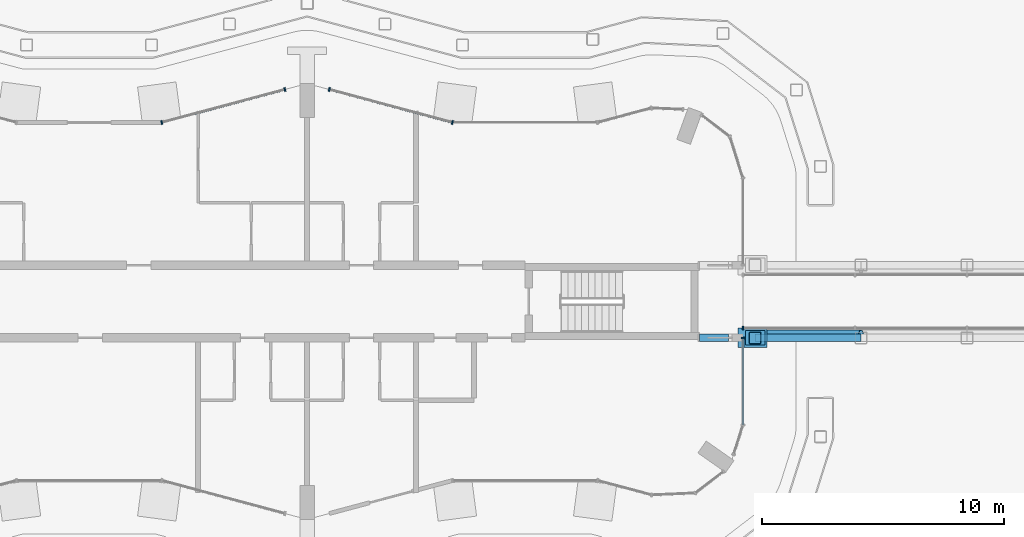
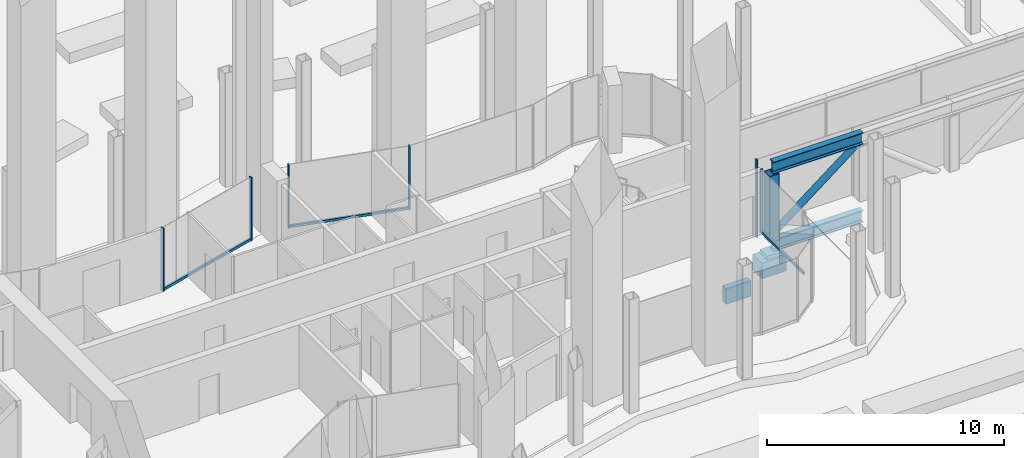
# One storey, part 9 of 33: 14 members, 2 beams, 4 elements without a shape of their own.
"""IFC4 building model written with IfcOpenShell, lengths in metres."""

import ifcopenshell
import ifcopenshell.guid

model = None  # the IFC model being written
_history = None  # IfcOwnerHistory: only IFC2X3 demands one
_inside = {}  # id of a spatial element -> (the spatial element, [elements in it])
_under = {}  # id of a project, library or spatial element -> (it, [spatial elements below it])
_declared = {}  # id of a project -> (the project, [libraries it declares])
_typed = {}  # id of a type object -> (the type object, [elements of that type])
_made_of = {}  # id of a material, layer set ... -> (it, [elements and type objects made of it])


def new_model(schema):
    """Start an empty IFC model of exactly this schema.

    Asked for "IFC4X3", IfcOpenShell would pick the latest addendum, in which some entities
    have other attributes; the version numbers below select the first issue.
    IFC2X3 requires an IfcOwnerHistory on every rooted entity: one is made here for all.
    """
    global model, _history
    if schema == "IFC4X3":
        model = ifcopenshell.file(schema_version=(4, 3, 0, 0))
    else:
        model = ifcopenshell.file(schema=schema)
    _inside.clear()
    _under.clear()
    _declared.clear()
    _typed.clear()
    _made_of.clear()
    _history = None
    if model.schema == "IFC2X3":
        org = make("IfcOrganization", Name="unknown")
        user = make(
            "IfcPersonAndOrganization",
            ThePerson=make("IfcPerson", FamilyName="unknown"),
            TheOrganization=org,
        )
        app = make(
            "IfcApplication",
            ApplicationDeveloper=org,
            Version="unknown",
            ApplicationFullName="unknown",
            ApplicationIdentifier="unknown",
        )
        _history = make(
            "IfcOwnerHistory",
            OwningUser=user,
            OwningApplication=app,
            ChangeAction="ADDED",
            CreationDate=0,
        )
    return model


def make(cls, **values):
    """One entity of the class cls with the attributes given. An attribute that is None is left unset."""
    return model.create_entity(
        cls, **{name: value for name, value in values.items() if value is not None}
    )


def rooted(cls, **values):
    """An entity with a GlobalId (a new one), such as an element, a storey or a relation."""
    return make(cls, GlobalId=ifcopenshell.guid.new(), OwnerHistory=_history, **values)


def si_unit(unit_type, name, prefix=None):
    """IfcSIUnit, for example si_unit("LENGTHUNIT", "METRE", prefix="MILLI")."""
    return make("IfcSIUnit", UnitType=unit_type, Prefix=prefix, Name=name)


def assignment(units):
    """IfcUnitAssignment: the units of a project."""
    return None if units is None else make("IfcUnitAssignment", Units=units)


def point(xyz):
    """IfcCartesianPoint."""
    return None if xyz is None else make("IfcCartesianPoint", Coordinates=xyz)


def direction(xyz):
    """IfcDirection."""
    return None if xyz is None else make("IfcDirection", DirectionRatios=xyz)


def frame(location, z_axis=None, x_axis=None):
    """IfcAxis2Placement3D, a coordinate frame: its origin and axes. An axis left out is left unset."""
    return make(
        "IfcAxis2Placement3D",
        Location=point(location),
        Axis=direction(z_axis),
        RefDirection=direction(x_axis),
    )


def frame_2d(location, x_axis=None):
    """IfcAxis2Placement2D, a coordinate frame in the plane: its origin and x axis."""
    return make(
        "IfcAxis2Placement2D", Location=point(location), RefDirection=direction(x_axis)
    )


def origin():
    """The frame at (0, 0, 0) with its axes left unset."""
    return frame((0.0, 0.0, 0.0))


def origin_2d():
    """The frame at (0, 0) in the plane with its x axis left unset."""
    return frame_2d((0.0, 0.0))


def place(relative_to, where):
    """IfcLocalPlacement: puts the frame where relative to a parent placement (None: the world)."""
    return make(
        "IfcLocalPlacement", PlacementRelTo=relative_to, RelativePlacement=where
    )


def context(
    kind, dimensions, precision=None, world=None, true_north=None, identifier=None
):
    """IfcGeometricRepresentationContext, for example the 3D "Model" context."""
    return make(
        "IfcGeometricRepresentationContext",
        ContextIdentifier=identifier,
        ContextType=kind,
        CoordinateSpaceDimension=dimensions,
        Precision=precision,
        WorldCoordinateSystem=world,
        TrueNorth=true_north,
    )


def subcontext(parent, identifier, kind, view, scale=None):
    """IfcGeometricRepresentationSubContext, for example "Body" below "Model"."""
    return make(
        "IfcGeometricRepresentationSubContext",
        ContextIdentifier=identifier,
        ContextType=kind,
        ParentContext=parent,
        TargetScale=scale,
        TargetView=view,
    )


def project(units=None, contexts=None):
    """IfcProject with its units and contexts."""
    return rooted(
        "IfcProject",
        Name="project",
        RepresentationContexts=contexts,
        UnitsInContext=assignment(units),
    )


def spatial(cls, under=None, at=None, **own):
    """A site, building, storey or space (cls), placed at a placement, below another one or the project."""
    s = rooted(cls, ObjectPlacement=at, **own)
    if under is not None:
        _under.setdefault(under.id(), (under, []))[1].append(s)
    return s


def profile(cls, at=None, kind="AREA", **sizes):
    """A parametric profile (cls). Its sizes go by their IFC names, for example OverallWidth=200.0."""
    return make(cls, ProfileType=kind, Position=at, **sizes)


def rectangle(**sizes):
    """IfcRectangleProfileDef."""
    return profile("IfcRectangleProfileDef", **sizes)


def hollow_rectangle(**sizes):
    """IfcRectangleHollowProfileDef."""
    return profile("IfcRectangleHollowProfileDef", **sizes)


def hollow_circle(**sizes):
    """IfcCircleHollowProfileDef."""
    return profile("IfcCircleHollowProfileDef", **sizes)


def i_section(**sizes):
    """IfcIShapeProfileDef."""
    return profile("IfcIShapeProfileDef", **sizes)


def extrude(swept, where, along, depth):
    """IfcExtrudedAreaSolid: the profile swept, set in the frame where, extruded along a direction by depth."""
    return make(
        "IfcExtrudedAreaSolid",
        SweptArea=swept,
        Position=where,
        ExtrudedDirection=direction(along),
        Depth=depth,
    )


def shape(context_of_items, identifier, shape_type, items):
    """IfcShapeRepresentation: the items that make up one representation, for example the "Body"."""
    return make(
        "IfcShapeRepresentation",
        ContextOfItems=context_of_items,
        RepresentationIdentifier=identifier,
        RepresentationType=shape_type,
        Items=items,
    )


def material(Name=None, Category=None):
    """IfcMaterial."""
    return make("IfcMaterial", Name=Name, Category=Category)


def layer(
    of_material, thickness, ventilated=None, Name=None, Category=None, Priority=None
):
    """IfcMaterialLayer: one layer of a wall or slab, of a material (None: an air gap)."""
    return make(
        "IfcMaterialLayer",
        Material=of_material,
        LayerThickness=thickness,
        IsVentilated=ventilated,
        Name=Name,
        Category=Category,
        Priority=Priority,
    )


def layer_set(layers, Name=None):
    """IfcMaterialLayerSet."""
    return make("IfcMaterialLayerSet", MaterialLayers=layers, LayerSetName=Name)


def material_profile(
    of_material, cross_section, Name=None, Category=None, Priority=None
):
    """IfcMaterialProfile: a cross section and its material."""
    return make(
        "IfcMaterialProfile",
        Name=Name,
        Material=of_material,
        Profile=cross_section,
        Priority=Priority,
        Category=Category,
    )


def profile_set(profiles, Name=None, composite=None):
    """IfcMaterialProfileSet."""
    return make(
        "IfcMaterialProfileSet",
        Name=Name,
        MaterialProfiles=profiles,
        CompositeProfile=composite,
    )


def made_of(thing, what):
    """Note that an element or type object is made of a material, layer set ...; save() writes the relation."""
    if what is not None:
        _made_of.setdefault(what.id(), (what, []))[1].append(thing)
    return thing


def type_object(cls, material=None, **own):
    """A type object (cls), such as IfcWallType, which elements share."""
    return made_of(rooted(cls, **own), material)


def element(
    cls,
    number,
    at=None,
    inside=None,
    cuts=None,
    type_object=None,
    material=None,
    context=None,
    identifier="Body",
    shape_type=None,
    held_by="IfcProductDefinitionShape",
    body=None,
    shapes=None,
    **own,
):
    """One element of the class cls, such as IfcWall. Its Tag is "e" and its number.

    at: its placement. inside: the storey or other place that contains it. cuts: it is an
    opening in that element (IfcRelVoidsElement). A single representation is given by context,
    identifier, shape_type and body (its items); several are given by shapes. held_by: the class
    of the entity that holds the representations. save() writes the other relations.
    """
    e = rooted(cls, Tag="e%d" % number, ObjectPlacement=at, **own)
    if body is not None:
        shapes = [shape(context, identifier, shape_type, body)]
    if shapes is not None:
        e.Representation = make(held_by, Representations=shapes)
    if inside is not None:
        _inside.setdefault(inside.id(), (inside, []))[1].append(e)
    if cuts is not None:
        rooted(
            "IfcRelVoidsElement", RelatingBuildingElement=cuts, RelatedOpeningElement=e
        )
    if type_object is not None:
        _typed.setdefault(type_object.id(), (type_object, []))[1].append(e)
    return made_of(e, material)


def aggregate(whole, parts):
    """IfcRelAggregates: a whole, such as a stair, and the parts it consists of."""
    return rooted("IfcRelAggregates", RelatingObject=whole, RelatedObjects=parts)


def save(model, path):
    """Write the relations noted so far, then the file.

    IfcRelAggregates (storeys below a building ...), IfcRelContainedInSpatialStructure (elements
    in a storey), IfcRelDefinesByType, IfcRelAssociatesMaterial and IfcRelDeclares: one each for
    every whole, place, type object, material and project.
    """
    for whole, parts in _under.values():
        aggregate(whole, parts)
    for where, things in _inside.values():
        rooted(
            "IfcRelContainedInSpatialStructure",
            RelatedElements=things,
            RelatingStructure=where,
        )
    for kind, things in _typed.values():
        rooted("IfcRelDefinesByType", RelatedObjects=things, RelatingType=kind)
    for what, things in _made_of.values():
        rooted("IfcRelAssociatesMaterial", RelatedObjects=things, RelatingMaterial=what)
    for by, libraries in _declared.values():
        rooted("IfcRelDeclares", RelatingContext=by, RelatedDefinitions=libraries)
    model.write(path)


model = new_model("IFC4")

# Units and contexts
model_context = context("Model", 3, precision=1e-05, world=origin(), true_north=direction((0.0, 1.0)))
body_context = subcontext(model_context, "Body", "Model", "MODEL_VIEW")
ifc_project = project(units=[si_unit("LENGTHUNIT", "METRE"), si_unit("AREAUNIT", "SQUARE_METRE"), si_unit("VOLUMEUNIT", "CUBIC_METRE"), si_unit("PLANEANGLEUNIT", "RADIAN"), si_unit("MASSUNIT", "GRAM", prefix="KILO")], contexts=[model_context])

# Site, building, storey
site_placement = place(None, origin())
site = spatial("IfcSite", under=ifc_project, at=site_placement, CompositionType="ELEMENT")
building_placement = place(site_placement, origin())
building = spatial("IfcBuilding", under=site, at=building_placement, Name="Plateau Cross Towers", CompositionType="ELEMENT")
storey_placement = place(building_placement, frame((0.0, 0.0, 26.800048828125)))
storey = spatial("IfcBuildingStorey", under=building, at=storey_placement, Name="L05", CompositionType="ELEMENT", Elevation=26.800048828125)

# Beam
ifc_material_1 = material(Name="Concrete C60/75", Category="concrete")
ifc_material_profile_1 = material_profile(ifc_material_1, rectangle(XDim=0.800048828125, YDim=0.800048828125, at=origin_2d()), Name="RC 800x800")
ifc_profile_set_1 = profile_set([ifc_material_profile_1], Name="Concrete C60/75")
beam_type_1 = type_object("IfcBeamType", Name="Bridge corbel RC 800x800", PredefinedType="BEAM", material=ifc_profile_set_1)
beam_1_placement = place(storey_placement, frame((53.800048828125, 7.5, -1.699951171875), z_axis=(1.0, 0.0, 0.0), x_axis=(0.0, 1.0, 0.0)))
element("IfcBeam", 1, at=beam_1_placement, inside=storey, type_object=beam_type_1, Name="BR-P-CORBEL1", PredefinedType="BEAM", context=body_context, shape_type="SweptSolid", body=[
    extrude(rectangle(XDim=0.800048828125, YDim=0.800048828125, at=origin_2d()), origin(), (0.0, 0.0, 1.0), 1.199951171875),
])

# Curtain wall, member
ifc_material_2 = material(Name="Dark low-iron glass", Category="glass")
ifc_layer_1 = layer(ifc_material_2, 0.239990234375)
ifc_layer_set_1 = layer_set([ifc_layer_1], Name="Dark low-iron glass")
curtain_wall_type_1 = type_object("IfcCurtainWallType", Name="Curtain wall flush unitised CW-B", PredefinedType="NOTDEFINED", material=ifc_layer_set_1)
curtain_wall_1_placement = place(storey_placement, origin())
curtain_wall_1 = element("IfcCurtainWall", 2, at=curtain_wall_1_placement, inside=storey, type_object=curtain_wall_type_1, Name="ENV/A/L05/A540_39", PredefinedType="NOTDEFINED")
ifc_material_3 = material(Name="Black anodised aluminium", Category="aluminium")
ifc_material_profile_2 = material_profile(ifc_material_3, rectangle(XDim=0.06005859375, YDim=0.139892578125, at=origin_2d()), Name="MULLION 60x140")
ifc_profile_set_2 = profile_set([ifc_material_profile_2], Name="Black anodised aluminium")
member_type_1 = type_object("IfcMemberType", Name="Mullion 60x140 flush unitised", PredefinedType="MULLION", material=ifc_profile_set_2)
member_1_placement = place(storey_placement, frame((54.0, 7.5, 0.0), z_axis=(0.0, 0.0, 1.0), x_axis=(0.0, 1.0, 0.0)))
member_1 = element("IfcMember", 3, at=member_1_placement, type_object=member_type_1, Name="CW-B mullion 2", PredefinedType="MULLION", context=body_context, shape_type="SweptSolid", body=[
    extrude(rectangle(XDim=0.06005859375, YDim=0.139892578125, at=origin_2d()), origin(), (0.0, 0.0, 1.0), 3.25),
])

ifc_material_4 = material(Name="Dark low-iron laminated glass", Category="glass")
ifc_layer_2 = layer(ifc_material_4, 0.25)
ifc_layer_set_2 = layer_set([ifc_layer_2], Name="Dark low-iron laminated glass")
curtain_wall_type_2 = type_object("IfcCurtainWallType", Name="Curtain wall bridge CW-E", PredefinedType="NOTDEFINED", material=ifc_layer_set_2)
curtain_wall_2_placement = place(storey_placement, origin())
curtain_wall_2 = element("IfcCurtainWall", 4, at=curtain_wall_2_placement, inside=storey, type_object=curtain_wall_type_2, Name="ENV/BR/L05/BR-P-south-1", PredefinedType="NOTDEFINED")
ifc_material_profile_3 = material_profile(ifc_material_3, rectangle(XDim=0.06005859375, YDim=0.14990234375, at=origin_2d()), Name="MULLION 60x150")
ifc_profile_set_3 = profile_set([ifc_material_profile_3], Name="Black anodised aluminium")
member_type_2 = type_object("IfcMemberType", Name="Mullion 60x150 bridge", PredefinedType="MULLION", material=ifc_profile_set_3)
member_2_placement = place(storey_placement, frame((54.0, 7.89990234375, -0.5), z_axis=(0.0, 0.0, 1.0), x_axis=(1.0, 0.0, 0.0)))
member_2 = element("IfcMember", 5, at=member_2_placement, type_object=member_type_2, Name="CW-E mullion 1", PredefinedType="MULLION", context=body_context, shape_type="SweptSolid", body=[
    extrude(rectangle(XDim=0.06005859375, YDim=0.14990234375, at=origin_2d()), origin(), (0.0, 0.0, 1.0), 4.0),
])
aggregate(curtain_wall_2, [member_2])

# Curtain wall, members
ifc_layer_3 = layer(ifc_material_2, 0.260009765625)
ifc_layer_set_3 = layer_set([ifc_layer_3], Name="Dark low-iron glass")
curtain_wall_type_3 = type_object("IfcCurtainWallType", Name="Curtain wall fluted unitised CW-A", PredefinedType="NOTDEFINED", material=ifc_layer_set_3)
curtain_wall_3_placement = place(storey_placement, origin())
curtain_wall_3 = element("IfcCurtainWall", 6, at=curtain_wall_3_placement, inside=storey, type_object=curtain_wall_type_3, Name="ENV/A/L05/A420_164", PredefinedType="NOTDEFINED")
ifc_material_profile_4 = material_profile(ifc_material_3, rectangle(XDim=0.06005859375, YDim=0.159912109375, at=origin_2d()), Name="MULLION 60x160")
ifc_profile_set_4 = profile_set([ifc_material_profile_4], Name="Black anodised aluminium")
member_type_3 = type_object("IfcMemberType", Name="Mullion 60x160 fluted unitised", PredefinedType="MULLION", material=ifc_profile_set_4)
member_3_placement = place(storey_placement, frame((42.0, 16.39306640625, 0.0), z_axis=(0.0, 0.0, 1.0), x_axis=(-0.965957983404, 0.258699003279, 0.0)))
member_3 = element("IfcMember", 7, at=member_3_placement, type_object=member_type_3, Name="CW-A mullion 1", PredefinedType="MULLION", context=body_context, shape_type="SweptSolid", body=[
    extrude(rectangle(XDim=0.06005859375, YDim=0.159912109375, at=origin_2d()), origin(), (0.0, 0.0, 1.0), 3.25),
])
member_4_placement = place(storey_placement, frame((36.91796875, 17.754150390625, 0.0), z_axis=(0.0, 0.0, 1.0), x_axis=(-0.965957983404, 0.258699003279, 0.0)))
member_4 = element("IfcMember", 8, at=member_4_placement, type_object=member_type_3, Name="CW-A mullion 2", PredefinedType="MULLION", context=body_context, shape_type="SweptSolid", body=[
    extrude(rectangle(XDim=0.06005859375, YDim=0.159912109375, at=origin_2d()), origin(), (0.0, 0.0, 1.0), 3.25),
])

curtain_wall_4_placement = place(storey_placement, origin())
curtain_wall_4 = element("IfcCurtainWall", 9, at=curtain_wall_4_placement, inside=storey, type_object=curtain_wall_type_3, Name="ENV/A/L05/A351_178", PredefinedType="NOTDEFINED")
member_5_placement = place(storey_placement, frame((35.08203125, 17.754150390625, 0.0), z_axis=(0.0, 0.0, 1.0), x_axis=(-0.965957983404, -0.258699003279, 0.0)))
member_5 = element("IfcMember", 10, at=member_5_placement, type_object=member_type_3, Name="CW-A mullion 1", PredefinedType="MULLION", context=body_context, shape_type="SweptSolid", body=[
    extrude(rectangle(XDim=0.06005859375, YDim=0.159912109375, at=origin_2d()), origin(), (0.0, 0.0, 1.0), 3.25),
])
member_6_placement = place(storey_placement, frame((30.0, 16.39306640625, 0.0), z_axis=(0.0, 0.0, 1.0), x_axis=(-0.965957983404, -0.258699003279, 0.0)))
member_6 = element("IfcMember", 11, at=member_6_placement, type_object=member_type_3, Name="CW-A mullion 2", PredefinedType="MULLION", context=body_context, shape_type="SweptSolid", body=[
    extrude(rectangle(XDim=0.06005859375, YDim=0.159912109375, at=origin_2d()), origin(), (0.0, 0.0, 1.0), 3.25),
])

# Members
ifc_material_5 = material(Name="Steel S355", Category="steel")
ifc_layer_4 = layer(ifc_material_5, 0.199951171875)
ifc_layer_set_4 = layer_set([ifc_layer_4], Name="Steel S355")
member_type_4 = type_object("IfcMemberType", Name="Pinned bridge bearing BRG 800x600", PredefinedType="USERDEFINED", material=ifc_layer_set_4)
member_7_placement = place(storey_placement, frame((54.5, 7.5, -1.2998046875), z_axis=(0.0, 0.0, 1.0), x_axis=(1.0, 0.0, 0.0)))
element("IfcMember", 12, at=member_7_placement, inside=storey, type_object=member_type_4, Name="Podium bridge pinned bearing 1", ObjectType="BEARING", PredefinedType="USERDEFINED", context=body_context, shape_type="SweptSolid", body=[
    extrude(rectangle(XDim=0.800048828125, YDim=0.60009765625, at=origin_2d()), origin(), (0.0, 0.0, 1.0), 0.199951171875),
])
ifc_material_profile_5 = material_profile(ifc_material_5, i_section(OverallWidth=0.300048828125, OverallDepth=0.60009765625, WebThickness=0.015380859375, FlangeThickness=0.030029296875, FilletRadius=0.027099609375, at=origin_2d()), Name="HE 600 B")
ifc_profile_set_5 = profile_set([ifc_material_profile_5], Name="Steel S355")
member_type_5 = type_object("IfcMemberType", Name="Podium bridge truss chord HE 600 B", PredefinedType="CHORD", material=ifc_profile_set_5)
for number, where, z_axis, x_axis, name in (
    (13, (54.5, 7.5, -0.800048828125), (1.0, 0.0, 0.0), (0.0, 1.0, 0.0), "BR-P-T1-B1"),
    (14, (54.5, 7.5, 3.199951171875), (1.0, 0.0, 0.0), (0.0, 1.0, 0.0), "BR-P-T1-T1"),
):
    element("IfcMember", number, at=place(storey_placement, frame(where, z_axis=z_axis, x_axis=x_axis)), inside=storey, type_object=member_type_5, Name=name, PredefinedType="CHORD", context=body_context, shape_type="SweptSolid", body=[
        extrude(i_section(OverallWidth=0.300048828125, OverallDepth=0.60009765625, WebThickness=0.015380859375, FlangeThickness=0.030029296875, FilletRadius=0.027099609375, at=origin_2d()), origin(), (0.0, 0.0, 1.0), 4.375),
    ])
ifc_material_profile_6 = material_profile(ifc_material_5, hollow_circle(Radius=0.161865234375, WallThickness=0.012451171875, at=origin_2d()), Name="CHS 323.9x12.5")
ifc_profile_set_6 = profile_set([ifc_material_profile_6], Name="Steel S355")
member_type_6 = type_object("IfcMemberType", Name="Podium bridge truss diagonal CHS 323.9x12.5", PredefinedType="BRACE", material=ifc_profile_set_6)
member_8_placement = place(storey_placement, frame((54.5, 7.657958984375, -0.5), z_axis=(0.789603647501, 0.0, 0.613617209548), x_axis=(0.0, 1.0, 0.0)))
element("IfcMember", 15, at=member_8_placement, inside=storey, type_object=member_type_6, Name="BR-P-T1-D1", PredefinedType="BRACE", context=body_context, shape_type="SweptSolid", body=[
    extrude(hollow_circle(Radius=0.161865234375, WallThickness=0.012451171875, at=origin_2d()), origin(), (0.0, 0.0, 1.0), 5.540771484375),
])
ifc_material_profile_7 = material_profile(ifc_material_5, hollow_rectangle(XDim=0.5, YDim=0.5, WallThickness=0.02490234375, InnerFilletRadius=0.02490234375, OuterFilletRadius=0.050048828125, at=origin_2d()), Name="SHS 500x500x25")
ifc_profile_set_7 = profile_set([ifc_material_profile_7], Name="Steel S355")
member_type_7 = type_object("IfcMemberType", Name="Podium bridge truss post SHS 500x500x25", PredefinedType="POST", material=ifc_profile_set_7)
member_9_placement = place(storey_placement, frame((54.5, 7.5, -0.5), z_axis=(0.0, 0.0, 1.0), x_axis=(1.0, 0.0, 0.0)))
element("IfcMember", 16, at=member_9_placement, inside=storey, type_object=member_type_7, Name="BR-P-T1-V1", PredefinedType="POST", context=body_context, shape_type="SweptSolid", body=[
    extrude(hollow_rectangle(XDim=0.5, YDim=0.5, WallThickness=0.02490234375, InnerFilletRadius=0.02490234375, OuterFilletRadius=0.050048828125, at=origin_2d()), origin(), (0.0, 0.0, 1.0), 3.39990234375),
])

# Beam
ifc_material_profile_8 = material_profile(ifc_material_1, rectangle(XDim=0.300048828125, YDim=0.800048828125, at=origin_2d()), Name="RC 300x800")
ifc_profile_set_8 = profile_set([ifc_material_profile_8], Name="Concrete C60/75")
beam_type_2 = type_object("IfcBeamType", Name="Stub wall bearer RC 300x800", PredefinedType="BEAM", material=ifc_profile_set_8)
beam_2_placement = place(storey_placement, frame((52.199951171875, 7.5, -2.60009765625), z_axis=(1.0, 0.0, 0.0), x_axis=(0.0, 1.0, 0.0)))
element("IfcBeam", 17, at=beam_2_placement, inside=storey, type_object=beam_type_2, Name="A-end-E-bridge-S@L05-bearer", PredefinedType="BEAM", context=body_context, shape_type="SweptSolid", body=[
    extrude(rectangle(XDim=0.300048828125, YDim=0.800048828125, at=origin_2d()), origin(), (0.0, 0.0, 1.0), 1.199951171875),
])

# Member
ifc_material_profile_9 = material_profile(ifc_material_3, rectangle(XDim=0.10009765625, YDim=0.1201171875, at=origin_2d()), Name="TRANSOM 100x120")
ifc_profile_set_9 = profile_set([ifc_material_profile_9], Name="Black anodised aluminium")
member_type_8 = type_object("IfcMemberType", Name="Transom 100x120 flush unitised", PredefinedType="USERDEFINED", material=ifc_profile_set_9)
member_10_placement = place(storey_placement, frame((54.0, 3.9091796875, 0.06005859375), z_axis=(0.0, 1.0, 0.0), x_axis=(-1.0, 0.0, 0.0)))
member_10 = element("IfcMember", 18, at=member_10_placement, type_object=member_type_8, Name="CW-B transom", ObjectType="TRANSOM", PredefinedType="USERDEFINED", context=body_context, shape_type="SweptSolid", body=[
    extrude(rectangle(XDim=0.10009765625, YDim=0.1201171875, at=origin_2d()), origin(), (0.0, 0.0, 1.0), 3.5908203125),
])

aggregate(curtain_wall_1, [member_1, member_10])

ifc_material_profile_10 = material_profile(ifc_material_3, rectangle(XDim=0.10009765625, YDim=0.1201171875, at=origin_2d()), Name="TRANSOM 100x120")
ifc_profile_set_10 = profile_set([ifc_material_profile_10], Name="Black anodised aluminium")
member_type_9 = type_object("IfcMemberType", Name="Transom 100x120 fluted unitised", PredefinedType="USERDEFINED", material=ifc_profile_set_10)
member_11_placement = place(storey_placement, frame((42.0, 16.39306640625, 0.06005859375), z_axis=(-0.965956335063, 0.258705157954, 0.0), x_axis=(-0.258705157954, -0.965956335063, 0.0)))
member_11 = element("IfcMember", 19, at=member_11_placement, type_object=member_type_9, Name="CW-A transom", ObjectType="TRANSOM", PredefinedType="USERDEFINED", context=body_context, shape_type="SweptSolid", body=[
    extrude(rectangle(XDim=0.10009765625, YDim=0.1201171875, at=origin_2d()), origin(), (0.0, 0.0, 1.0), 5.26123046875),
])

aggregate(curtain_wall_3, [member_3, member_4, member_11])

member_12_placement = place(storey_placement, frame((35.08203125, 17.754150390625, 0.06005859375), z_axis=(-0.965956335063, -0.258705157954, 0.0), x_axis=(0.258705157954, -0.965956335063, 0.0)))
member_12 = element("IfcMember", 20, at=member_12_placement, type_object=member_type_9, Name="CW-A transom", ObjectType="TRANSOM", PredefinedType="USERDEFINED", context=body_context, shape_type="SweptSolid", body=[
    extrude(rectangle(XDim=0.10009765625, YDim=0.1201171875, at=origin_2d()), origin(), (0.0, 0.0, 1.0), 5.26123046875),
])

aggregate(curtain_wall_4, [member_5, member_6, member_12])

save(model, "model.ifc")
